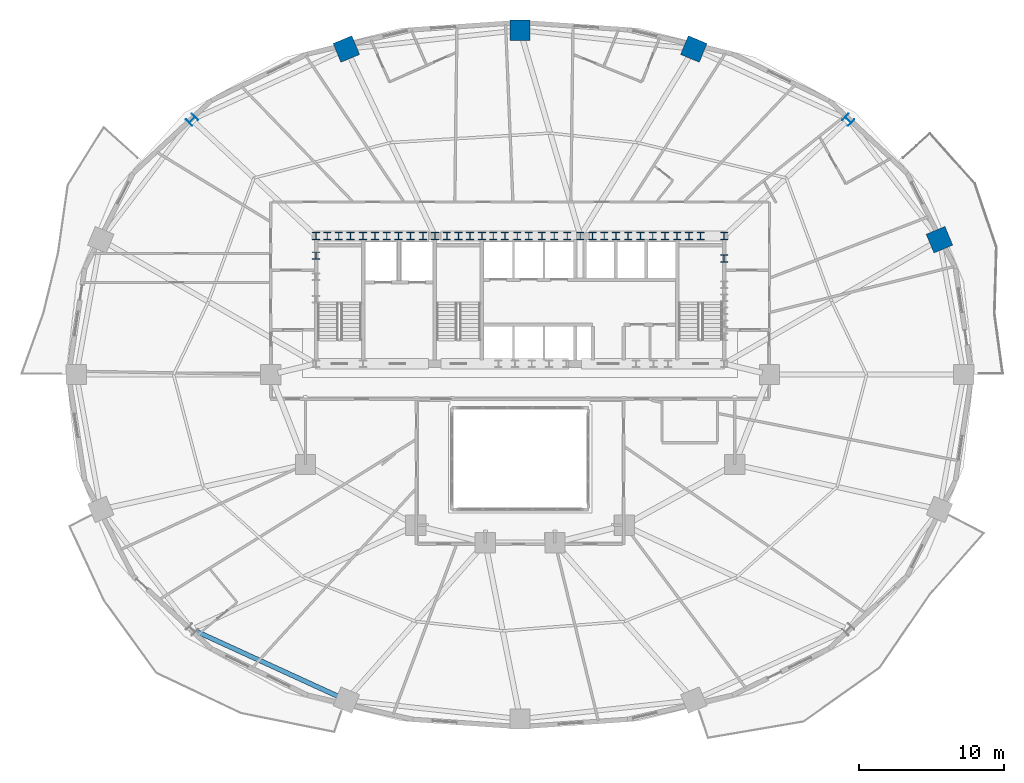
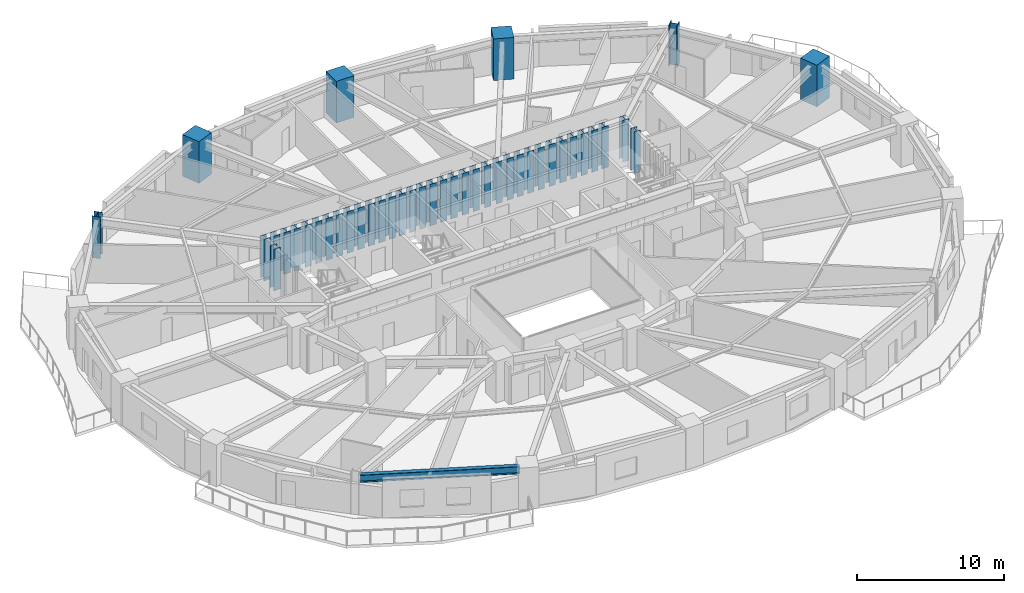
# One storey, part 2 of 16: 42 columns, 1 beam.
"""IFC4 building model written with IfcOpenShell, lengths in metres."""

from ifc_helpers import new_model, si_unit, direction, frame, origin, origin_2d, place, context, subcontext, project, spatial, rectangle, i_section, extrude, material, material_profile, profile_set, type_object, element, save


model = new_model("IFC4")

# Units and contexts
model_context = context("Model", 3, precision=1e-05, world=origin(), true_north=direction((0.0, 1.0)))
body_context = subcontext(model_context, "Body", "Model", "MODEL_VIEW")
ifc_project = project(units=[si_unit("LENGTHUNIT", "METRE"), si_unit("AREAUNIT", "SQUARE_METRE"), si_unit("VOLUMEUNIT", "CUBIC_METRE"), si_unit("PLANEANGLEUNIT", "RADIAN"), si_unit("MASSUNIT", "GRAM", prefix="KILO")], contexts=[model_context])

# Site, building, storey
site_placement = place(None, origin())
site = spatial("IfcSite", under=ifc_project, at=site_placement, CompositionType="ELEMENT")
building_placement = place(site_placement, origin())
building = spatial("IfcBuilding", under=site, at=building_placement, Name="Haldorwick Loom Tower", CompositionType="ELEMENT")
storey_placement = place(building_placement, frame((0.0, 0.0, 68.85009765625)))
storey = spatial("IfcBuildingStorey", under=building, at=storey_placement, Name="L18", CompositionType="ELEMENT", Elevation=68.85009765625)

# Columns
ifc_material_1 = material(Name="Concrete C60 (60 MPa)", Category="concrete")
ifc_material_profile_1 = material_profile(ifc_material_1, rectangle(XDim=1.39990234375, YDim=1.39990234375, at=origin_2d()), Name="RC1400X1400", Category="concrete")
ifc_profile_set_1 = profile_set([ifc_material_profile_1], Name="Concrete C60 (60 MPa)")
column_type_1 = type_object("IfcColumnType", Name="STR-COL-RC1400", PredefinedType="PILASTER", material=ifc_profile_set_1)
for number, where, z_axis, x_axis, name in (
    (1, (64.91748046875, 35.29931640625, 0.0), (0.0, 0.0, 1.0), (0.923879532511, 0.382683432365, 0.0), "L18 Perimeter Pier Column P02"),
    (2, (47.97802734375, 48.4501953125, 0.0), (0.0, 0.0, 1.0), (0.382683432365, 0.923879532511, 0.0), "L18 Perimeter Pier Column P04"),
    (3, (36.0, 49.75, 0.0), (0.0, 0.0, 1.0), (0.0, 1.0, 0.0), "L18 Perimeter Pier Column P05"),
    (4, (24.02197265625, 48.4501953125, 0.0), (0.0, 0.0, 1.0), (-0.382683432365, 0.923879532511, 0.0), "L18 Perimeter Pier Column P06"),
):
    element("IfcColumn", number, at=place(storey_placement, frame(where, z_axis=z_axis, x_axis=x_axis)), inside=storey, type_object=column_type_1, Name=name, PredefinedType="PILASTER", context=body_context, shape_type="SweptSolid", body=[
        extrude(rectangle(XDim=1.39990234375, YDim=1.39990234375, at=origin_2d()), origin(), (0.0, 0.0, 1.0), 3.449951171875),
    ])
ifc_material_2 = material(Name="Steel CSA G40.21 350WT", Category="steel")
ifc_material_profile_2 = material_profile(ifc_material_2, i_section(OverallWidth=0.5, OverallDepth=0.5, WebThickness=0.02197265625, FlangeThickness=0.031982421875, at=origin_2d()), Name="WWF500X500", Category="steel")
ifc_profile_set_2 = profile_set([ifc_material_profile_2], Name="Steel CSA G40.21 350WT")
column_type_2 = type_object("IfcColumnType", Name="STR-COL-WWF500", PredefinedType="COLUMN", material=ifc_profile_set_2)
for number, where, z_axis, x_axis, name in (
    (5, (21.929931640625, 35.550048828125, 0.0), (0.0, 0.0, 1.0), (1.0, 0.0, 0.0), "L18 Core Pilaster CB-01"),
    (6, (23.5, 35.550048828125, 0.0), (0.0, 0.0, 1.0), (1.0, 0.0, 0.0), "L18 Core Pilaster CB-02"),
    (7, (25.169921875, 35.550048828125, 0.0), (0.0, 0.0, 1.0), (1.0, 0.0, 0.0), "L18 Core Pilaster CB-03"),
    (8, (26.800048828125, 35.550048828125, 0.0), (0.0, 0.0, 1.0), (1.0, 0.0, 0.0), "L18 Core Pilaster CB-04"),
    (9, (28.449951171875, 35.550048828125, 0.0), (0.0, 0.0, 1.0), (1.0, 0.0, 0.0), "L18 Core Pilaster CB-05"),
    (10, (30.1298828125, 35.550048828125, 0.0), (0.0, 0.0, 1.0), (1.0, 0.0, 0.0), "L18 Core Pilaster CB-06"),
    (11, (31.75, 35.550048828125, 0.0), (0.0, 0.0, 1.0), (1.0, 0.0, 0.0), "L18 Core Pilaster CB-07"),
    (12, (33.3701171875, 35.550048828125, 0.0), (0.0, 0.0, 1.0), (1.0, 0.0, 0.0), "L18 Core Pilaster CB-08"),
    (13, (34.949951171875, 35.550048828125, 0.0), (0.0, 0.0, 1.0), (1.0, 0.0, 0.0), "L18 Core Pilaster CB-09"),
    (14, (36.60009765625, 35.550048828125, 0.0), (0.0, 0.0, 1.0), (1.0, 0.0, 0.0), "L18 Core Pilaster CB-10"),
    (15, (38.35009765625, 35.550048828125, 0.0), (0.0, 0.0, 1.0), (1.0, 0.0, 0.0), "L18 Core Pilaster CB-11"),
    (16, (40.14990234375, 35.550048828125, 0.0), (0.0, 0.0, 1.0), (1.0, 0.0, 0.0), "L18 Core Pilaster CB-12"),
    (17, (41.800048828125, 35.550048828125, 0.0), (0.0, 0.0, 1.0), (1.0, 0.0, 0.0), "L18 Core Pilaster CB-13"),
    (18, (43.449951171875, 35.550048828125, 0.0), (0.0, 0.0, 1.0), (1.0, 0.0, 0.0), "L18 Core Pilaster CB-14"),
    (19, (45.14990234375, 35.550048828125, 0.0), (0.0, 0.0, 1.0), (1.0, 0.0, 0.0), "L18 Core Pilaster CB-15"),
    (20, (46.830078125, 35.550048828125, 0.0), (0.0, 0.0, 1.0), (1.0, 0.0, 0.0), "L18 Core Pilaster CB-16"),
    (21, (48.449951171875, 35.550048828125, 0.0), (0.0, 0.0, 1.0), (1.0, 0.0, 0.0), "L18 Core Pilaster CB-17"),
    (22, (50.070068359375, 35.550048828125, 0.0), (0.0, 0.0, 1.0), (1.0, 0.0, 0.0), "L18 Core Pilaster CB-18"),
    (23, (21.929931640625, 34.199951171875, 0.0), (0.0, 0.0, 1.0), (1.0, 0.0, 0.0), "L18 Core Pilaster CB-28"),
    (24, (50.070068359375, 34.0, 0.0), (0.0, 0.0, 1.0), (1.0, 0.0, 0.0), "L18 Core Pilaster CB-32"),
    (25, (22.699951171875, 35.550048828125, 0.0), (0.0, 0.0, 1.0), (1.0, 0.0, 0.0), "L18 Core Pilaster CB-33"),
    (26, (27.6201171875, 35.550048828125, 0.0), (0.0, 0.0, 1.0), (1.0, 0.0, 0.0), "L18 Core Pilaster CB-34"),
    (27, (32.550048828125, 35.550048828125, 0.0), (0.0, 0.0, 1.0), (1.0, 0.0, 0.0), "L18 Core Pilaster CB-35"),
    (28, (37.5, 35.550048828125, 0.0), (0.0, 0.0, 1.0), (1.0, 0.0, 0.0), "L18 Core Pilaster CB-36"),
    (29, (42.6201171875, 35.550048828125, 0.0), (0.0, 0.0, 1.0), (1.0, 0.0, 0.0), "L18 Core Pilaster CB-37"),
    (30, (47.64990234375, 35.550048828125, 0.0), (0.0, 0.0, 1.0), (1.0, 0.0, 0.0), "L18 Core Pilaster CB-38"),
    (31, (24.300048828125, 35.550048828125, 0.0), (0.0, 0.0, 1.0), (1.0, 0.0, 0.0), "L18 Core Pilaster CB-39"),
    (32, (26.0, 35.550048828125, 0.0), (0.0, 0.0, 1.0), (1.0, 0.0, 0.0), "L18 Core Pilaster CB-40"),
    (33, (29.300048828125, 35.550048828125, 0.0), (0.0, 0.0, 1.0), (1.0, 0.0, 0.0), "L18 Core Pilaster CB-41"),
    (34, (30.949951171875, 35.550048828125, 0.0), (0.0, 0.0, 1.0), (1.0, 0.0, 0.0), "L18 Core Pilaster CB-42"),
    (35, (34.14990234375, 35.550048828125, 0.0), (0.0, 0.0, 1.0), (1.0, 0.0, 0.0), "L18 Core Pilaster CB-43"),
    (36, (35.800048828125, 35.550048828125, 0.0), (0.0, 0.0, 1.0), (1.0, 0.0, 0.0), "L18 Core Pilaster CB-44"),
    (37, (39.25, 35.550048828125, 0.0), (0.0, 0.0, 1.0), (1.0, 0.0, 0.0), "L18 Core Pilaster CB-45"),
    (38, (41.0, 35.550048828125, 0.0), (0.0, 0.0, 1.0), (1.0, 0.0, 0.0), "L18 Core Pilaster CB-46"),
    (39, (44.300048828125, 35.550048828125, 0.0), (0.0, 0.0, 1.0), (1.0, 0.0, 0.0), "L18 Core Pilaster CB-47"),
    (40, (46.0, 35.550048828125, 0.0), (0.0, 0.0, 1.0), (1.0, 0.0, 0.0), "L18 Core Pilaster CB-48"),
):
    element("IfcColumn", number, at=place(storey_placement, frame(where, z_axis=z_axis, x_axis=x_axis)), inside=storey, type_object=column_type_2, Name=name, PredefinedType="COLUMN", context=body_context, shape_type="SweptSolid", body=[
        extrude(i_section(OverallWidth=0.5, OverallDepth=0.5, WebThickness=0.02197265625, FlangeThickness=0.031982421875, at=origin_2d()), origin(), (0.0, 0.0, 1.0), 3.449951171875),
    ])
ifc_material_profile_3 = material_profile(ifc_material_2, i_section(OverallWidth=0.60009765625, OverallDepth=0.60009765625, WebThickness=0.02490234375, FlangeThickness=0.035888671875, at=origin_2d()), Name="WWF600X600", Category="steel")
ifc_profile_set_3 = profile_set([ifc_material_profile_3], Name="Steel CSA G40.21 350WT")
column_type_3 = type_object("IfcColumnType", Name="STR-COL-WWF600", PredefinedType="COLUMN", material=ifc_profile_set_3)
for number, where, z_axis, x_axis, name in (
    (41, (58.630126953125, 43.571533203125, 0.0), (0.0, 0.0, 1.0), (0.707106781187, 0.707106781187, 0.0), "L18 Perimeter Pier Column P03"),
    (42, (13.369873046875, 43.571533203125, 0.0), (0.0, 0.0, 1.0), (-0.707106781187, 0.707106781187, 0.0), "L18 Perimeter Pier Column P07"),
):
    element("IfcColumn", number, at=place(storey_placement, frame(where, z_axis=z_axis, x_axis=x_axis)), inside=storey, type_object=column_type_3, Name=name, PredefinedType="COLUMN", context=body_context, shape_type="SweptSolid", body=[
        extrude(i_section(OverallWidth=0.60009765625, OverallDepth=0.60009765625, WebThickness=0.02490234375, FlangeThickness=0.035888671875, at=origin_2d()), origin(), (0.0, 0.0, 1.0), 3.449951171875),
    ])

# Beam
ifc_material_3 = material(Name="Steel CSA G40.21 350W", Category="steel")
ifc_material_profile_4 = material_profile(ifc_material_3, i_section(OverallWidth=0.324951171875, OverallDepth=0.615966796875, WebThickness=0.013916015625, FlangeThickness=0.021484375, at=origin_2d()), Name="W610X174", Category="steel")
ifc_profile_set_4 = profile_set([ifc_material_profile_4], Name="Steel CSA G40.21 350W")
beam_type = type_object("IfcBeamType", Name="STR-BM-SP610", PredefinedType="SPANDREL", material=ifc_profile_set_4)
beam_placement = place(storey_placement, frame((13.619873046875, 8.31396484375, 2.8818359375), z_axis=(0.909173805321, -0.416416848504, 0.0), x_axis=(0.416416848504, 0.909173805321, 0.0)))
element("IfcBeam", 43, at=beam_placement, inside=storey, type_object=beam_type, Name="L18 Perimeter Spandrel 11", PredefinedType="SPANDREL", context=body_context, shape_type="SweptSolid", body=[
    extrude(i_section(OverallWidth=0.324951171875, OverallDepth=0.615966796875, WebThickness=0.013916015625, FlangeThickness=0.021484375, at=origin_2d()), origin(), (0.0, 0.0, 1.0), 10.92138671875),
])

save(model, "model.ifc")
